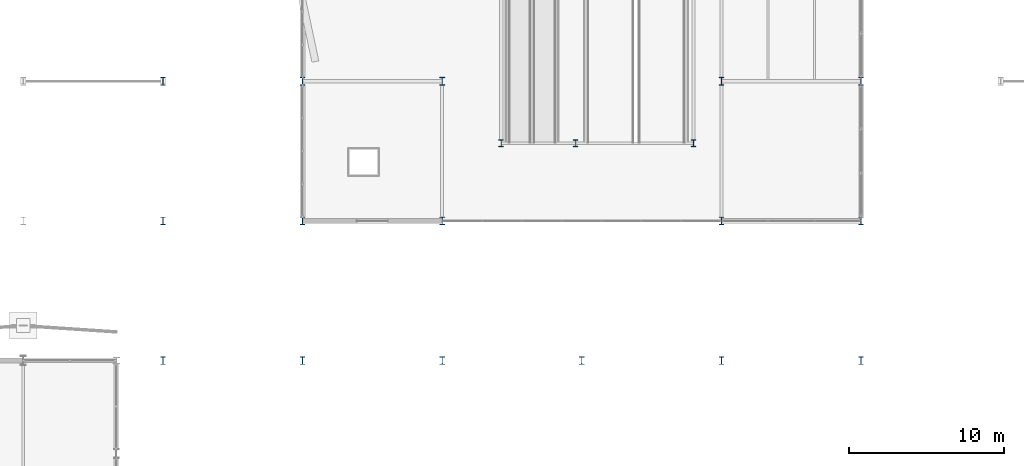
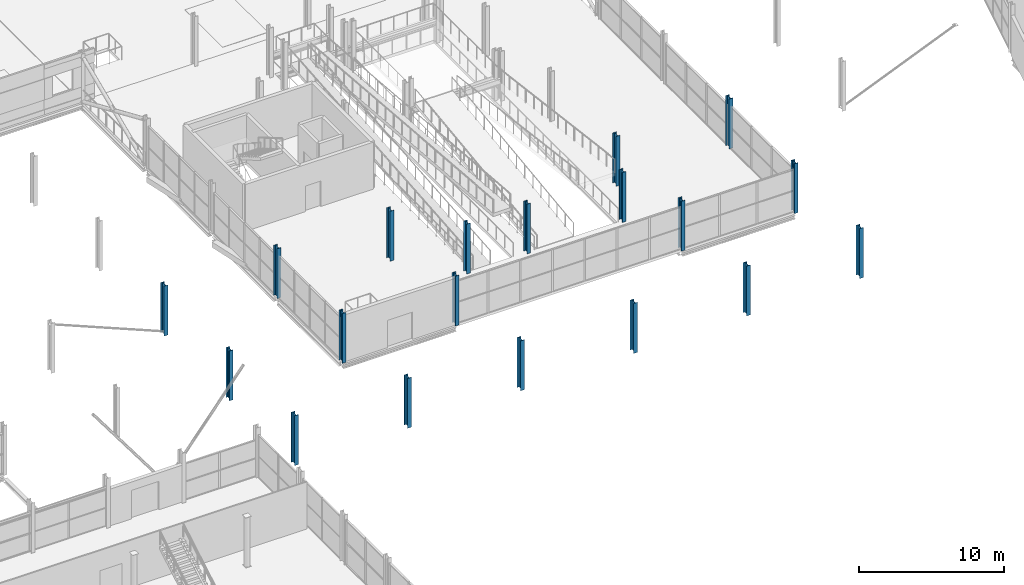
# One storey, part 7 of 140: 19 columns.
"""IFC4 building model written with IfcOpenShell, lengths in metres."""

import ifcopenshell
import ifcopenshell.guid

model = None  # the IFC model being written
_history = None  # IfcOwnerHistory: only IFC2X3 demands one
_inside = {}  # id of a spatial element -> (the spatial element, [elements in it])
_under = {}  # id of a project, library or spatial element -> (it, [spatial elements below it])
_declared = {}  # id of a project -> (the project, [libraries it declares])
_typed = {}  # id of a type object -> (the type object, [elements of that type])
_made_of = {}  # id of a material, layer set ... -> (it, [elements and type objects made of it])


def new_model(schema):
    """Start an empty IFC model of exactly this schema.

    Asked for "IFC4X3", IfcOpenShell would pick the latest addendum, in which some entities
    have other attributes; the version numbers below select the first issue.
    IFC2X3 requires an IfcOwnerHistory on every rooted entity: one is made here for all.
    """
    global model, _history
    if schema == "IFC4X3":
        model = ifcopenshell.file(schema_version=(4, 3, 0, 0))
    else:
        model = ifcopenshell.file(schema=schema)
    _inside.clear()
    _under.clear()
    _declared.clear()
    _typed.clear()
    _made_of.clear()
    _history = None
    if model.schema == "IFC2X3":
        org = make("IfcOrganization", Name="unknown")
        user = make(
            "IfcPersonAndOrganization",
            ThePerson=make("IfcPerson", FamilyName="unknown"),
            TheOrganization=org,
        )
        app = make(
            "IfcApplication",
            ApplicationDeveloper=org,
            Version="unknown",
            ApplicationFullName="unknown",
            ApplicationIdentifier="unknown",
        )
        _history = make(
            "IfcOwnerHistory",
            OwningUser=user,
            OwningApplication=app,
            ChangeAction="ADDED",
            CreationDate=0,
        )
    return model


def make(cls, **values):
    """One entity of the class cls with the attributes given. An attribute that is None is left unset."""
    return model.create_entity(
        cls, **{name: value for name, value in values.items() if value is not None}
    )


def rooted(cls, **values):
    """An entity with a GlobalId (a new one), such as an element, a storey or a relation."""
    return make(cls, GlobalId=ifcopenshell.guid.new(), OwnerHistory=_history, **values)


def si_unit(unit_type, name, prefix=None):
    """IfcSIUnit, for example si_unit("LENGTHUNIT", "METRE", prefix="MILLI")."""
    return make("IfcSIUnit", UnitType=unit_type, Prefix=prefix, Name=name)


def assignment(units):
    """IfcUnitAssignment: the units of a project."""
    return None if units is None else make("IfcUnitAssignment", Units=units)


def point(xyz):
    """IfcCartesianPoint."""
    return None if xyz is None else make("IfcCartesianPoint", Coordinates=xyz)


def direction(xyz):
    """IfcDirection."""
    return None if xyz is None else make("IfcDirection", DirectionRatios=xyz)


def frame(location, z_axis=None, x_axis=None):
    """IfcAxis2Placement3D, a coordinate frame: its origin and axes. An axis left out is left unset."""
    return make(
        "IfcAxis2Placement3D",
        Location=point(location),
        Axis=direction(z_axis),
        RefDirection=direction(x_axis),
    )


def frame_2d(location, x_axis=None):
    """IfcAxis2Placement2D, a coordinate frame in the plane: its origin and x axis."""
    return make(
        "IfcAxis2Placement2D", Location=point(location), RefDirection=direction(x_axis)
    )


def origin():
    """The frame at (0, 0, 0) with its axes left unset."""
    return frame((0.0, 0.0, 0.0))


def origin_2d():
    """The frame at (0, 0) in the plane with its x axis left unset."""
    return frame_2d((0.0, 0.0))


def place(relative_to, where):
    """IfcLocalPlacement: puts the frame where relative to a parent placement (None: the world)."""
    return make(
        "IfcLocalPlacement", PlacementRelTo=relative_to, RelativePlacement=where
    )


def context(
    kind, dimensions, precision=None, world=None, true_north=None, identifier=None
):
    """IfcGeometricRepresentationContext, for example the 3D "Model" context."""
    return make(
        "IfcGeometricRepresentationContext",
        ContextIdentifier=identifier,
        ContextType=kind,
        CoordinateSpaceDimension=dimensions,
        Precision=precision,
        WorldCoordinateSystem=world,
        TrueNorth=true_north,
    )


def subcontext(parent, identifier, kind, view, scale=None):
    """IfcGeometricRepresentationSubContext, for example "Body" below "Model"."""
    return make(
        "IfcGeometricRepresentationSubContext",
        ContextIdentifier=identifier,
        ContextType=kind,
        ParentContext=parent,
        TargetScale=scale,
        TargetView=view,
    )


def project(units=None, contexts=None):
    """IfcProject with its units and contexts."""
    return rooted(
        "IfcProject",
        Name="project",
        RepresentationContexts=contexts,
        UnitsInContext=assignment(units),
    )


def spatial(cls, under=None, at=None, **own):
    """A site, building, storey or space (cls), placed at a placement, below another one or the project."""
    s = rooted(cls, ObjectPlacement=at, **own)
    if under is not None:
        _under.setdefault(under.id(), (under, []))[1].append(s)
    return s


def profile(cls, at=None, kind="AREA", **sizes):
    """A parametric profile (cls). Its sizes go by their IFC names, for example OverallWidth=200.0."""
    return make(cls, ProfileType=kind, Position=at, **sizes)


def i_section(**sizes):
    """IfcIShapeProfileDef."""
    return profile("IfcIShapeProfileDef", **sizes)


def extrude(swept, where, along, depth):
    """IfcExtrudedAreaSolid: the profile swept, set in the frame where, extruded along a direction by depth."""
    return make(
        "IfcExtrudedAreaSolid",
        SweptArea=swept,
        Position=where,
        ExtrudedDirection=direction(along),
        Depth=depth,
    )


def shape(context_of_items, identifier, shape_type, items):
    """IfcShapeRepresentation: the items that make up one representation, for example the "Body"."""
    return make(
        "IfcShapeRepresentation",
        ContextOfItems=context_of_items,
        RepresentationIdentifier=identifier,
        RepresentationType=shape_type,
        Items=items,
    )


def material(Name=None, Category=None):
    """IfcMaterial."""
    return make("IfcMaterial", Name=Name, Category=Category)


def material_profile(
    of_material, cross_section, Name=None, Category=None, Priority=None
):
    """IfcMaterialProfile: a cross section and its material."""
    return make(
        "IfcMaterialProfile",
        Name=Name,
        Material=of_material,
        Profile=cross_section,
        Priority=Priority,
        Category=Category,
    )


def profile_set(profiles, Name=None, composite=None):
    """IfcMaterialProfileSet."""
    return make(
        "IfcMaterialProfileSet",
        Name=Name,
        MaterialProfiles=profiles,
        CompositeProfile=composite,
    )


def made_of(thing, what):
    """Note that an element or type object is made of a material, layer set ...; save() writes the relation."""
    if what is not None:
        _made_of.setdefault(what.id(), (what, []))[1].append(thing)
    return thing


def type_object(cls, material=None, **own):
    """A type object (cls), such as IfcWallType, which elements share."""
    return made_of(rooted(cls, **own), material)


def element(
    cls,
    number,
    at=None,
    inside=None,
    cuts=None,
    type_object=None,
    material=None,
    context=None,
    identifier="Body",
    shape_type=None,
    held_by="IfcProductDefinitionShape",
    body=None,
    shapes=None,
    **own,
):
    """One element of the class cls, such as IfcWall. Its Tag is "e" and its number.

    at: its placement. inside: the storey or other place that contains it. cuts: it is an
    opening in that element (IfcRelVoidsElement). A single representation is given by context,
    identifier, shape_type and body (its items); several are given by shapes. held_by: the class
    of the entity that holds the representations. save() writes the other relations.
    """
    e = rooted(cls, Tag="e%d" % number, ObjectPlacement=at, **own)
    if body is not None:
        shapes = [shape(context, identifier, shape_type, body)]
    if shapes is not None:
        e.Representation = make(held_by, Representations=shapes)
    if inside is not None:
        _inside.setdefault(inside.id(), (inside, []))[1].append(e)
    if cuts is not None:
        rooted(
            "IfcRelVoidsElement", RelatingBuildingElement=cuts, RelatedOpeningElement=e
        )
    if type_object is not None:
        _typed.setdefault(type_object.id(), (type_object, []))[1].append(e)
    return made_of(e, material)


def aggregate(whole, parts):
    """IfcRelAggregates: a whole, such as a stair, and the parts it consists of."""
    return rooted("IfcRelAggregates", RelatingObject=whole, RelatedObjects=parts)


def save(model, path):
    """Write the relations noted so far, then the file.

    IfcRelAggregates (storeys below a building ...), IfcRelContainedInSpatialStructure (elements
    in a storey), IfcRelDefinesByType, IfcRelAssociatesMaterial and IfcRelDeclares: one each for
    every whole, place, type object, material and project.
    """
    for whole, parts in _under.values():
        aggregate(whole, parts)
    for where, things in _inside.values():
        rooted(
            "IfcRelContainedInSpatialStructure",
            RelatedElements=things,
            RelatingStructure=where,
        )
    for kind, things in _typed.values():
        rooted("IfcRelDefinesByType", RelatedObjects=things, RelatingType=kind)
    for what, things in _made_of.values():
        rooted("IfcRelAssociatesMaterial", RelatedObjects=things, RelatingMaterial=what)
    for by, libraries in _declared.values():
        rooted("IfcRelDeclares", RelatingContext=by, RelatedDefinitions=libraries)
    model.write(path)


model = new_model("IFC4")

# Units and contexts
model_context = context("Model", 3, precision=1e-05, world=origin(), true_north=direction((0.0, 1.0)))
body_context = subcontext(model_context, "Body", "Model", "MODEL_VIEW")
ifc_project = project(units=[si_unit("LENGTHUNIT", "METRE"), si_unit("AREAUNIT", "SQUARE_METRE"), si_unit("VOLUMEUNIT", "CUBIC_METRE"), si_unit("PLANEANGLEUNIT", "RADIAN"), si_unit("MASSUNIT", "GRAM", prefix="KILO")], contexts=[model_context])

# Site, building, storey
site_placement = place(None, origin())
site = spatial("IfcSite", under=ifc_project, at=site_placement, CompositionType="ELEMENT")
building_placement = place(site_placement, origin())
building = spatial("IfcBuilding", under=site, at=building_placement, Name="Deido Ridge Mobility Hub", CompositionType="ELEMENT")
storey_placement = place(building_placement, origin())
storey = spatial("IfcBuildingStorey", under=building, at=storey_placement, Name="L00", CompositionType="ELEMENT", Elevation=0.0)

# Columns
ifc_material = material(Name="Steel S355J2 EN 10025-2", Category="steel")
ifc_material_profile_1 = material_profile(ifc_material, i_section(OverallWidth=0.300048828125, OverallDepth=0.449951171875, WebThickness=0.013916015625, FlangeThickness=0.02587890625, FilletRadius=0.027099609375, at=origin_2d()), Name="HEB 450")
ifc_profile_set_1 = profile_set([ifc_material_profile_1], Name="Steel S355J2 EN 10025-2")
column_type_1 = type_object("IfcColumnType", Name="COL-HEB450", PredefinedType="COLUMN", material=ifc_profile_set_1)
for number, where, z_axis, x_axis, name in (
    (1, (84.800048828125, 50.0, 0.0), (0.0, 0.0, 1.0), (1.0, 0.0, 0.0), "Structural column C6"),
    (2, (89.60009765625, 50.0, 0.0), (0.0, 0.0, 1.0), (1.0, 0.0, 0.0), "Structural column C6"),
    (3, (97.199951171875, 50.0, 0.0), (0.0, 0.0, 1.0), (1.0, 0.0, 0.0), "Structural column C6"),
):
    element("IfcColumn", number, at=place(storey_placement, frame(where, z_axis=z_axis, x_axis=x_axis)), inside=storey, type_object=column_type_1, Name=name, PredefinedType="COLUMN", context=body_context, shape_type="SweptSolid", body=[
        extrude(i_section(OverallWidth=0.300048828125, OverallDepth=0.449951171875, WebThickness=0.013916015625, FlangeThickness=0.02587890625, FilletRadius=0.027099609375, at=origin_2d()), origin(), (0.0, 0.0, 1.0), 4.199951171875),
    ])
ifc_material_profile_2 = material_profile(ifc_material, i_section(OverallWidth=0.300048828125, OverallDepth=0.5, WebThickness=0.014404296875, FlangeThickness=0.028076171875, FilletRadius=0.027099609375, at=origin_2d()), Name="HEB 500")
ifc_profile_set_2 = profile_set([ifc_material_profile_2], Name="Steel S355J2 EN 10025-2")
column_type_2 = type_object("IfcColumnType", Name="COL-HEB500", PredefinedType="COLUMN", material=ifc_profile_set_2)
for number, where, z_axis, x_axis, name in (
    (4, (72.0, 45.0, 0.0), (0.0, 0.0, 1.0), (1.0, 0.0, 0.0), "Structural column C5"),
    (5, (72.0, 54.0, 0.0), (0.0, 0.0, 1.0), (1.0, 0.0, 0.0), "Structural column C5"),
    (6, (81.0, 45.0, 0.0), (0.0, 0.0, 1.0), (1.0, 0.0, 0.0), "Structural column C5"),
    (7, (81.0, 54.0, 0.0), (0.0, 0.0, 1.0), (1.0, 0.0, 0.0), "Structural column C5"),
    (8, (99.0, 45.0, 0.0), (0.0, 0.0, 1.0), (1.0, 0.0, 0.0), "Structural column C5"),
    (9, (99.0, 54.0, 0.0), (0.0, 0.0, 1.0), (1.0, 0.0, 0.0), "Structural column C5"),
    (10, (108.0, 45.0, 0.0), (0.0, 0.0, 1.0), (1.0, 0.0, 0.0), "Structural column C5"),
    (11, (108.0, 54.0, 0.0), (0.0, 0.0, 1.0), (1.0, 0.0, 0.0), "Structural column C5"),
    (12, (63.0, 54.0, 0.0), (0.0, 0.0, 1.0), (1.0, 0.0, 0.0), "Structural column C5"),
    (13, (63.0, 36.0, 0.0), (0.0, 0.0, 1.0), (1.0, 0.0, 0.0), "Structural column C5"),
    (14, (63.0, 45.0, 0.0), (0.0, 0.0, 1.0), (1.0, 0.0, 0.0), "Structural column C5"),
    (15, (72.0, 36.0, 0.0), (0.0, 0.0, 1.0), (1.0, 0.0, 0.0), "Structural column C5"),
    (16, (81.0, 36.0, 0.0), (0.0, 0.0, 1.0), (1.0, 0.0, 0.0), "Structural column C5"),
    (17, (90.0, 36.0, 0.0), (0.0, 0.0, 1.0), (1.0, 0.0, 0.0), "Structural column C5"),
    (18, (99.0, 36.0, 0.0), (0.0, 0.0, 1.0), (1.0, 0.0, 0.0), "Structural column C5"),
    (19, (108.0, 36.0, 0.0), (0.0, 0.0, 1.0), (1.0, 0.0, 0.0), "Structural column C5"),
):
    element("IfcColumn", number, at=place(storey_placement, frame(where, z_axis=z_axis, x_axis=x_axis)), inside=storey, type_object=column_type_2, Name=name, PredefinedType="COLUMN", context=body_context, shape_type="SweptSolid", body=[
        extrude(i_section(OverallWidth=0.300048828125, OverallDepth=0.5, WebThickness=0.014404296875, FlangeThickness=0.028076171875, FilletRadius=0.027099609375, at=origin_2d()), origin(), (0.0, 0.0, 1.0), 4.199951171875),
    ])

save(model, "model.ifc")
